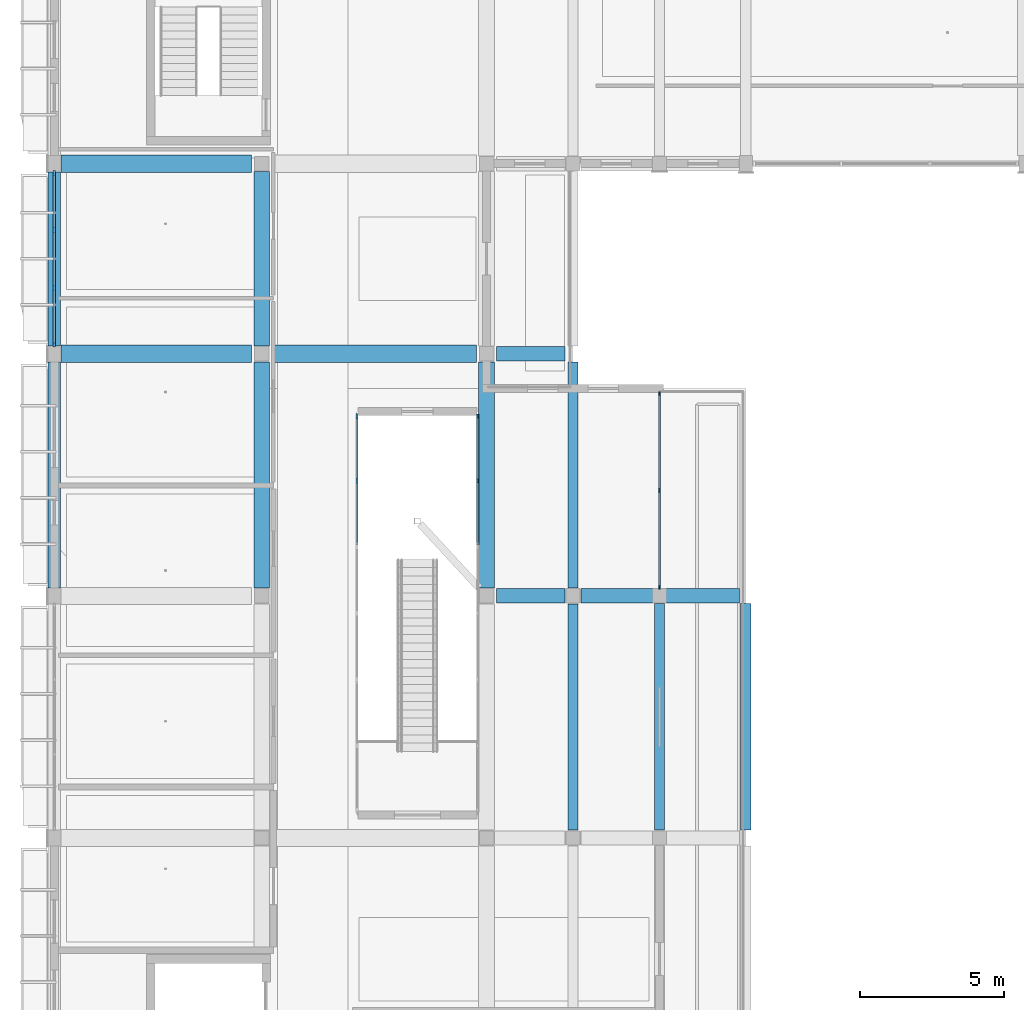
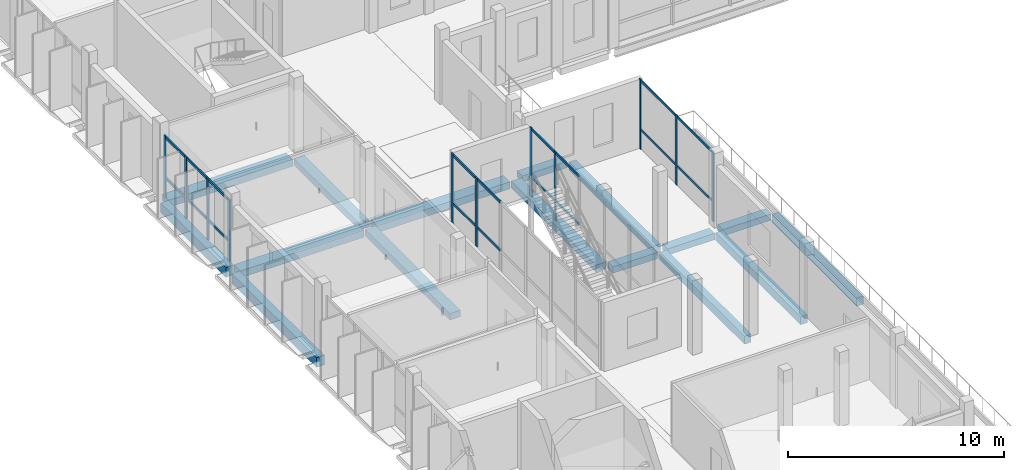
# One storey, part 11 of 85: 19 members, 16 beams, 4 elements without a shape of their own.
"""IFC4 building model written with IfcOpenShell, lengths in metres."""

from ifc_helpers import new_model, si_unit, derived_unit, direction, frame, origin, origin_2d, place, context, subcontext, project, spatial, rectangle, extrude, material, material_profile, profile_set, type_object, element, aggregate, save


model = new_model("IFC4")

# Units and contexts
model_context = context("Model", 3, precision=1e-05, world=origin(), true_north=direction((0.0, 1.0)))
body_context = subcontext(model_context, "Body", "Model", "MODEL_VIEW")
ifc_project = project(units=[si_unit("LENGTHUNIT", "METRE"), si_unit("AREAUNIT", "SQUARE_METRE"), si_unit("VOLUMEUNIT", "CUBIC_METRE"), si_unit("PLANEANGLEUNIT", "RADIAN"), si_unit("MASSUNIT", "GRAM", prefix="KILO"), derived_unit("THERMALTRANSMITTANCEUNIT", [(si_unit("POWERUNIT", "WATT"), 1), (si_unit("LENGTHUNIT", "METRE"), -2), (si_unit("THERMODYNAMICTEMPERATUREUNIT", "KELVIN"), -1)])], contexts=[model_context])

# Site, building, storey
site_placement = place(None, origin())
site = spatial("IfcSite", under=ifc_project, at=site_placement, CompositionType="ELEMENT")
building_placement = place(site_placement, origin())
building = spatial("IfcBuilding", under=site, at=building_placement, Name="Braskholm Square Health Centre", CompositionType="ELEMENT")
storey_placement = place(building_placement, frame((0.0, 0.0, 9.300048828125)))
storey = spatial("IfcBuildingStorey", under=building, at=storey_placement, Name="L03", CompositionType="ELEMENT", Elevation=9.300048828125)

# Curtain wall, members
ifc_material_1 = material(Name="Low-E triple insulating glass (VLT 0.64)", Category="glass")
curtain_wall_type_1 = type_object("IfcCurtainWallType", Name="UnitisedCurtainWall6200x4100", PredefinedType="NOTDEFINED", material=ifc_material_1)
curtain_wall_1_placement = place(storey_placement, origin())
curtain_wall_1 = element("IfcCurtainWall", 1, at=curtain_wall_1_placement, inside=storey, type_object=curtain_wall_type_1, Name="West Valley unitised curtain wall CW-L03-0094", PredefinedType="NOTDEFINED")
ifc_material_2 = material(Name="Architectural bronze anodised aluminium", Category="aluminium")
ifc_material_profile_1 = material_profile(ifc_material_2, rectangle(XDim=0.06494140625, YDim=0.14990234375, at=origin_2d()), Name="ALU-65X150")
ifc_profile_set_1 = profile_set([ifc_material_profile_1], Name="Architectural bronze anodised aluminium")
member_type_1 = type_object("IfcMemberType", Name="CurtainWallMullion65x150", PredefinedType="MULLION", material=ifc_profile_set_1)
member_1_placement = place(storey_placement, frame((25.199951171875, 72.500732421875, 0.0), z_axis=(0.0, 0.0, 1.0), x_axis=(1.0, 0.0, 0.0)))
member_1 = element("IfcMember", 2, at=member_1_placement, type_object=member_type_1, Name="CW-L03-0094 vertical mullion 1", PredefinedType="MULLION", context=body_context, shape_type="SweptSolid", body=[
    extrude(rectangle(XDim=0.06494140625, YDim=0.14990234375, at=origin_2d()), origin(), (0.0, 0.0, 1.0), 3.949951171875),
])
member_2_placement = place(storey_placement, frame((25.199951171875, 75.85888671875, 0.0), z_axis=(0.0, 0.0, 1.0), x_axis=(1.0, 0.0, 0.0)))
member_2 = element("IfcMember", 3, at=member_2_placement, type_object=member_type_1, Name="CW-L03-0094 vertical mullion 2", PredefinedType="MULLION", context=body_context, shape_type="SweptSolid", body=[
    extrude(rectangle(XDim=0.06494140625, YDim=0.14990234375, at=origin_2d()), origin(), (0.0, 0.0, 1.0), 3.949951171875),
])
member_3_placement = place(storey_placement, frame((25.199951171875, 79.21728515625, 0.0), z_axis=(0.0, 0.0, 1.0), x_axis=(1.0, 0.0, 0.0)))
member_3 = element("IfcMember", 4, at=member_3_placement, type_object=member_type_1, Name="CW-L03-0094 vertical mullion 3", PredefinedType="MULLION", context=body_context, shape_type="SweptSolid", body=[
    extrude(rectangle(XDim=0.06494140625, YDim=0.14990234375, at=origin_2d()), origin(), (0.0, 0.0, 1.0), 3.949951171875),
])

curtain_wall_type_2 = type_object("IfcCurtainWallType", Name="UnitisedCurtainWall4800x3800", PredefinedType="NOTDEFINED", material=ifc_material_1)
curtain_wall_2_placement = place(storey_placement, origin())
curtain_wall_2 = element("IfcCurtainWall", 5, at=curtain_wall_2_placement, inside=storey, type_object=curtain_wall_type_2, Name="WC2 Court E unitised curtain wall CW-L03-0302", PredefinedType="NOTDEFINED")
member_4_placement = place(storey_placement, frame((18.89990234375, 78.432861328125, 0.0), z_axis=(0.0, 0.0, 1.0), x_axis=(1.0, 0.0, 0.0)))
member_4 = element("IfcMember", 6, at=member_4_placement, type_object=member_type_1, Name="CW-L03-0302 vertical mullion 1", PredefinedType="MULLION", context=body_context, shape_type="SweptSolid", body=[
    extrude(rectangle(XDim=0.06494140625, YDim=0.14990234375, at=origin_2d()), origin(), (0.0, 0.0, 1.0), 3.89990234375),
])
member_5_placement = place(storey_placement, frame((18.89990234375, 76.198974609375, 0.0), z_axis=(0.0, 0.0, 1.0), x_axis=(1.0, 0.0, 0.0)))
member_5 = element("IfcMember", 7, at=member_5_placement, type_object=member_type_1, Name="CW-L03-0302 vertical mullion 2", PredefinedType="MULLION", context=body_context, shape_type="SweptSolid", body=[
    extrude(rectangle(XDim=0.06494140625, YDim=0.14990234375, at=origin_2d()), origin(), (0.0, 0.0, 1.0), 3.89990234375),
])

curtain_wall_type_3 = type_object("IfcCurtainWallType", Name="UnitisedCurtainWall6200x3650", PredefinedType="NOTDEFINED", material=ifc_material_1)
curtain_wall_3_placement = place(storey_placement, origin())
curtain_wall_3 = element("IfcCurtainWall", 8, at=curtain_wall_3_placement, inside=storey, type_object=curtain_wall_type_3, Name="West Outer unitised curtain wall CW-L03-0019", PredefinedType="NOTDEFINED")
ifc_material_profile_2 = material_profile(ifc_material_2, rectangle(XDim=0.074951171875, YDim=0.179931640625, at=origin_2d()), Name="ALU-75X180")
ifc_profile_set_2 = profile_set([ifc_material_profile_2], Name="Architectural bronze anodised aluminium")
member_type_2 = type_object("IfcMemberType", Name="CurtainWallMullion75x180", PredefinedType="MULLION", material=ifc_profile_set_2)
member_6_placement = place(storey_placement, frame((4.199951171875, 86.873779296875, 0.0), z_axis=(0.0, 0.0, 1.0), x_axis=(1.0, 0.0, 0.0)))
member_6 = element("IfcMember", 9, at=member_6_placement, type_object=member_type_2, Name="CW-L03-0019 vertical mullion 1", PredefinedType="MULLION", context=body_context, shape_type="SweptSolid", body=[
    extrude(rectangle(XDim=0.074951171875, YDim=0.179931640625, at=origin_2d()), origin(), (0.0, 0.0, 1.0), 3.47998046875),
])
member_7_placement = place(storey_placement, frame((4.199951171875, 84.9033203125, 0.0), z_axis=(0.0, 0.0, 1.0), x_axis=(1.0, 0.0, 0.0)))
member_7 = element("IfcMember", 10, at=member_7_placement, type_object=member_type_2, Name="CW-L03-0019 vertical mullion 2", PredefinedType="MULLION", context=body_context, shape_type="SweptSolid", body=[
    extrude(rectangle(XDim=0.074951171875, YDim=0.179931640625, at=origin_2d()), origin(), (0.0, 0.0, 1.0), 3.47998046875),
])
member_8_placement = place(storey_placement, frame((4.199951171875, 82.896728515625, 0.0), z_axis=(0.0, 0.0, 1.0), x_axis=(1.0, 0.0, 0.0)))
member_8 = element("IfcMember", 11, at=member_8_placement, type_object=member_type_2, Name="CW-L03-0019 vertical mullion 3", PredefinedType="MULLION", context=body_context, shape_type="SweptSolid", body=[
    extrude(rectangle(XDim=0.074951171875, YDim=0.179931640625, at=origin_2d()), origin(), (0.0, 0.0, 1.0), 3.47998046875),
])
member_9_placement = place(storey_placement, frame((4.199951171875, 80.926025390625, 0.0), z_axis=(0.0, 0.0, 1.0), x_axis=(1.0, 0.0, 0.0)))
member_9 = element("IfcMember", 12, at=member_9_placement, type_object=member_type_2, Name="CW-L03-0019 vertical mullion 4", PredefinedType="MULLION", context=body_context, shape_type="SweptSolid", body=[
    extrude(rectangle(XDim=0.074951171875, YDim=0.179931640625, at=origin_2d()), origin(), (0.0, 0.0, 1.0), 3.47998046875),
])

curtain_wall_4_placement = place(storey_placement, origin())
curtain_wall_4 = element("IfcCurtainWall", 13, at=curtain_wall_4_placement, inside=storey, type_object=curtain_wall_type_2, Name="WC2 Court W unitised curtain wall CW-L03-0301", PredefinedType="NOTDEFINED")
member_10_placement = place(storey_placement, frame((14.699951171875, 76.198974609375, 0.0), z_axis=(0.0, 0.0, 1.0), x_axis=(1.0, 0.0, 0.0)))
member_10 = element("IfcMember", 14, at=member_10_placement, type_object=member_type_2, Name="CW-L03-0301 vertical mullion 2", PredefinedType="MULLION", context=body_context, shape_type="SweptSolid", body=[
    extrude(rectangle(XDim=0.074951171875, YDim=0.179931640625, at=origin_2d()), origin(), (0.0, 0.0, 1.0), 3.89990234375),
])
member_11_placement = place(storey_placement, frame((14.699951171875, 78.432861328125, 0.0), z_axis=(0.0, 0.0, 1.0), x_axis=(1.0, 0.0, 0.0)))
member_11 = element("IfcMember", 15, at=member_11_placement, type_object=member_type_2, Name="CW-L03-0301 vertical mullion 3", PredefinedType="MULLION", context=body_context, shape_type="SweptSolid", body=[
    extrude(rectangle(XDim=0.074951171875, YDim=0.179931640625, at=origin_2d()), origin(), (0.0, 0.0, 1.0), 3.89990234375),
])

# Member
ifc_material_profile_3 = material_profile(ifc_material_2, rectangle(XDim=0.06494140625, YDim=0.1201171875, at=origin_2d()), Name="ALU-65X120")
ifc_profile_set_3 = profile_set([ifc_material_profile_3], Name="Architectural bronze anodised aluminium")
member_type_3 = type_object("IfcMemberType", Name="CurtainWallTransom65x120", PredefinedType="USERDEFINED", material=ifc_profile_set_3)
member_12_placement = place(storey_placement, frame((25.199951171875, 72.5048828125, 1.119873046875), z_axis=(0.0, 1.0, 0.0), x_axis=(-1.0, 0.0, 0.0)))
member_12 = element("IfcMember", 16, at=member_12_placement, type_object=member_type_3, Name="CW-L03-0094 horizontal transom 1", ObjectType="TRANSOM", PredefinedType="USERDEFINED", context=body_context, shape_type="SweptSolid", body=[
    extrude(rectangle(XDim=0.06494140625, YDim=0.1201171875, at=origin_2d()), origin(), (0.0, 0.0, 1.0), 6.7080078125),
])

member_13_placement = place(storey_placement, frame((25.199951171875, 72.5048828125, 3.8798828125), z_axis=(0.0, 1.0, 0.0), x_axis=(-1.0, 0.0, 0.0)))
member_13 = element("IfcMember", 17, at=member_13_placement, type_object=member_type_3, Name="CW-L03-0094 horizontal transom 2", ObjectType="TRANSOM", PredefinedType="USERDEFINED", context=body_context, shape_type="SweptSolid", body=[
    extrude(rectangle(XDim=0.06494140625, YDim=0.1201171875, at=origin_2d()), origin(), (0.0, 0.0, 1.0), 6.7080078125),
])

aggregate(curtain_wall_1, [member_1, member_2, member_3, member_12, member_13])

member_14_placement = place(storey_placement, frame((18.89990234375, 78.4150390625, 1.119873046875), z_axis=(0.0, -1.0, 0.0), x_axis=(1.0, 0.0, 0.0)))
member_14 = element("IfcMember", 18, at=member_14_placement, type_object=member_type_3, Name="CW-L03-0302 horizontal transom 1", ObjectType="TRANSOM", PredefinedType="USERDEFINED", context=body_context, shape_type="SweptSolid", body=[
    extrude(rectangle(XDim=0.06494140625, YDim=0.1201171875, at=origin_2d()), origin(), (0.0, 0.0, 1.0), 4.43212890625),
])

member_15_placement = place(storey_placement, frame((18.89990234375, 78.4150390625, 3.829833984375), z_axis=(0.0, -1.0, 0.0), x_axis=(1.0, 0.0, 0.0)))
member_15 = element("IfcMember", 19, at=member_15_placement, type_object=member_type_3, Name="CW-L03-0302 horizontal transom 2", ObjectType="TRANSOM", PredefinedType="USERDEFINED", context=body_context, shape_type="SweptSolid", body=[
    extrude(rectangle(XDim=0.06494140625, YDim=0.1201171875, at=origin_2d()), origin(), (0.0, 0.0, 1.0), 4.43212890625),
])

aggregate(curtain_wall_2, [member_4, member_5, member_14, member_15])

ifc_material_profile_4 = material_profile(ifc_material_2, rectangle(XDim=0.074951171875, YDim=0.139892578125, at=origin_2d()), Name="ALU-75X140")
ifc_profile_set_4 = profile_set([ifc_material_profile_4], Name="Architectural bronze anodised aluminium")
member_type_4 = type_object("IfcMemberType", Name="CurtainWallTransom75x140", PredefinedType="USERDEFINED", material=ifc_profile_set_4)
member_16_placement = place(storey_placement, frame((4.199951171875, 86.864990234375, 1.119873046875), z_axis=(0.0, -1.0, 0.0), x_axis=(1.0, 0.0, 0.0)))
member_16 = element("IfcMember", 20, at=member_16_placement, type_object=member_type_4, Name="CW-L03-0019 horizontal transom 1", ObjectType="TRANSOM", PredefinedType="USERDEFINED", context=body_context, shape_type="SweptSolid", body=[
    extrude(rectangle(XDim=0.074951171875, YDim=0.139892578125, at=origin_2d()), origin(), (0.0, 0.0, 1.0), 5.929931640625),
])

member_17_placement = place(storey_placement, frame((4.199951171875, 86.864990234375, 3.409912109375), z_axis=(0.0, -1.0, 0.0), x_axis=(1.0, 0.0, 0.0)))
member_17 = element("IfcMember", 21, at=member_17_placement, type_object=member_type_4, Name="CW-L03-0019 horizontal transom 2", ObjectType="TRANSOM", PredefinedType="USERDEFINED", context=body_context, shape_type="SweptSolid", body=[
    extrude(rectangle(XDim=0.074951171875, YDim=0.139892578125, at=origin_2d()), origin(), (0.0, 0.0, 1.0), 5.929931640625),
])

aggregate(curtain_wall_3, [member_6, member_7, member_8, member_9, member_16, member_17])

member_18_placement = place(storey_placement, frame((14.699951171875, 73.98291015625, 1.119873046875), z_axis=(0.0, 1.0, 0.0), x_axis=(-1.0, 0.0, 0.0)))
member_18 = element("IfcMember", 22, at=member_18_placement, type_object=member_type_4, Name="CW-L03-0301 horizontal transom 1", ObjectType="TRANSOM", PredefinedType="USERDEFINED", context=body_context, shape_type="SweptSolid", body=[
    extrude(rectangle(XDim=0.074951171875, YDim=0.139892578125, at=origin_2d()), origin(), (0.0, 0.0, 1.0), 4.43212890625),
])

member_19_placement = place(storey_placement, frame((14.699951171875, 73.98291015625, 3.829833984375), z_axis=(0.0, 1.0, 0.0), x_axis=(-1.0, 0.0, 0.0)))
member_19 = element("IfcMember", 23, at=member_19_placement, type_object=member_type_4, Name="CW-L03-0301 horizontal transom 2", ObjectType="TRANSOM", PredefinedType="USERDEFINED", context=body_context, shape_type="SweptSolid", body=[
    extrude(rectangle(XDim=0.074951171875, YDim=0.139892578125, at=origin_2d()), origin(), (0.0, 0.0, 1.0), 4.43212890625),
])

aggregate(curtain_wall_4, [member_10, member_11, member_18, member_19])

# Beams
ifc_material_3 = material(Name="Concrete C35/45 (f'c = 35 MPa)", Category="concrete")
ifc_material_profile_5 = material_profile(ifc_material_3, rectangle(XDim=0.5, YDim=0.360107421875, at=origin_2d()), Name="RCB-500X360")
ifc_profile_set_5 = profile_set([ifc_material_profile_5], Name="Concrete C35/45 (f'c = 35 MPa)")
beam_type_1 = type_object("IfcBeamType", Name="PrimaryBandBeam500x360", PredefinedType="BEAM", material=ifc_profile_set_5)
beam_1_placement = place(storey_placement, frame((19.550048828125, 72.199951171875, -0.47998046875), z_axis=(1.0, 0.0, 0.0), x_axis=(0.0, 1.0, 0.0)))
element("IfcBeam", 24, at=beam_1_placement, inside=storey, type_object=beam_type_1, Name="Beam 3-4/L L03", PredefinedType="BEAM", context=body_context, shape_type="SweptSolid", body=[
    extrude(rectangle(XDim=0.5, YDim=0.360107421875, at=origin_2d()), origin(), (0.0, 0.0, 1.0), 2.375),
])
beam_2_placement = place(storey_placement, frame((22.47509765625, 72.199951171875, -0.47998046875), z_axis=(1.0, 0.0, 0.0), x_axis=(0.0, 1.0, 0.0)))
element("IfcBeam", 25, at=beam_2_placement, inside=storey, type_object=beam_type_1, Name="Beam 4-5/L L03", PredefinedType="BEAM", context=body_context, shape_type="SweptSolid", body=[
    extrude(rectangle(XDim=0.5, YDim=0.360107421875, at=origin_2d()), origin(), (0.0, 0.0, 1.0), 2.5048828125),
])
beam_3_placement = place(storey_placement, frame((25.419921875, 72.199951171875, -0.429931640625), z_axis=(1.0, 0.0, 0.0), x_axis=(0.0, 1.0, 0.0)))
element("IfcBeam", 26, at=beam_3_placement, inside=storey, type_object=beam_type_1, Name="Beam 5-6/L L03", PredefinedType="BEAM", context=body_context, shape_type="SweptSolid", body=[
    extrude(rectangle(XDim=0.5, YDim=0.360107421875, at=origin_2d()), origin(), (0.0, 0.0, 1.0), 2.56005859375),
])
beam_4_placement = place(storey_placement, frame((19.550048828125, 80.60009765625, -0.429931640625), z_axis=(1.0, 0.0, 0.0), x_axis=(0.0, 1.0, 0.0)))
element("IfcBeam", 27, at=beam_4_placement, inside=storey, type_object=beam_type_1, Name="Beam 3-4/M L03", PredefinedType="BEAM", context=body_context, shape_type="SweptSolid", body=[
    extrude(rectangle(XDim=0.5, YDim=0.360107421875, at=origin_2d()), origin(), (0.0, 0.0, 1.0), 2.375),
])
ifc_material_profile_6 = material_profile(ifc_material_3, rectangle(XDim=0.550048828125, YDim=0.3798828125, at=origin_2d()), Name="RCB-550X380")
ifc_profile_set_6 = profile_set([ifc_material_profile_6], Name="Concrete C35/45 (f'c = 35 MPa)")
beam_type_2 = type_object("IfcBeamType", Name="PrimaryBandBeam550x380", PredefinedType="BEAM", material=ifc_profile_set_6)
beam_5_placement = place(storey_placement, frame((11.39990234375, 72.47509765625, -0.489990234375), z_axis=(0.0, 1.0, 0.0), x_axis=(-1.0, 0.0, 0.0)))
element("IfcBeam", 28, at=beam_5_placement, inside=storey, type_object=beam_type_2, Name="Beam 2/L-M L03", PredefinedType="BEAM", context=body_context, shape_type="SweptSolid", body=[
    extrude(rectangle(XDim=0.550048828125, YDim=0.3798828125, at=origin_2d()), origin(), (0.0, 0.0, 1.0), 7.849853515625),
])
beam_6_placement = place(storey_placement, frame((11.39990234375, 80.875, -0.489990234375), z_axis=(0.0, 1.0, 0.0), x_axis=(-1.0, 0.0, 0.0)))
element("IfcBeam", 29, at=beam_6_placement, inside=storey, type_object=beam_type_2, Name="Beam 2/M-N L03", PredefinedType="BEAM", context=body_context, shape_type="SweptSolid", body=[
    extrude(rectangle(XDim=0.550048828125, YDim=0.3798828125, at=origin_2d()), origin(), (0.0, 0.0, 1.0), 6.050048828125),
])
beam_7_placement = place(storey_placement, frame((19.199951171875, 72.47509765625, -0.489990234375), z_axis=(0.0, 1.0, 0.0), x_axis=(-1.0, 0.0, 0.0)))
element("IfcBeam", 30, at=beam_7_placement, inside=storey, type_object=beam_type_2, Name="Beam 3/L-M L03", PredefinedType="BEAM", context=body_context, shape_type="SweptSolid", body=[
    extrude(rectangle(XDim=0.550048828125, YDim=0.3798828125, at=origin_2d()), origin(), (0.0, 0.0, 1.0), 7.849853515625),
])
ifc_material_profile_7 = material_profile(ifc_material_3, rectangle(XDim=0.60009765625, YDim=0.39990234375, at=origin_2d()), Name="RCB-600X400")
ifc_profile_set_7 = profile_set([ifc_material_profile_7], Name="Concrete C35/45 (f'c = 35 MPa)")
beam_type_3 = type_object("IfcBeamType", Name="PrimaryBandBeam600x400", PredefinedType="BEAM", material=ifc_profile_set_7)
beam_8_placement = place(storey_placement, frame((4.429931640625, 80.60009765625, -0.5), z_axis=(1.0, 0.0, 0.0), x_axis=(0.0, 1.0, 0.0)))
element("IfcBeam", 31, at=beam_8_placement, inside=storey, type_object=beam_type_3, Name="Beam 1-2/M L03", PredefinedType="BEAM", context=body_context, shape_type="SweptSolid", body=[
    extrude(rectangle(XDim=0.60009765625, YDim=0.39990234375, at=origin_2d()), origin(), (0.0, 0.0, 1.0), 6.6201171875),
])
beam_9_placement = place(storey_placement, frame((11.75, 80.60009765625, -0.5), z_axis=(1.0, 0.0, 0.0), x_axis=(0.0, 1.0, 0.0)))
element("IfcBeam", 32, at=beam_9_placement, inside=storey, type_object=beam_type_3, Name="Beam 2-3/M L03", PredefinedType="BEAM", context=body_context, shape_type="SweptSolid", body=[
    extrude(rectangle(XDim=0.60009765625, YDim=0.39990234375, at=origin_2d()), origin(), (0.0, 0.0, 1.0), 7.10009765625),
])
beam_10_placement = place(storey_placement, frame((4.429931640625, 87.199951171875, -0.5), z_axis=(1.0, 0.0, 0.0), x_axis=(0.0, 1.0, 0.0)))
element("IfcBeam", 33, at=beam_10_placement, inside=storey, type_object=beam_type_3, Name="Beam 1-2/N L03", PredefinedType="BEAM", context=body_context, shape_type="SweptSolid", body=[
    extrude(rectangle(XDim=0.60009765625, YDim=0.39990234375, at=origin_2d()), origin(), (0.0, 0.0, 1.0), 6.6201171875),
])
ifc_material_4 = material(Name="Precast concrete C40/50 architectural white", Category="concrete")
ifc_material_profile_8 = material_profile(ifc_material_4, rectangle(XDim=0.419921875, YDim=0.550048828125, at=origin_2d()), Name="RCB-420X550")
ifc_profile_set_8 = profile_set([ifc_material_profile_8], Name="Precast concrete C40/50 architectural white")
beam_type_4 = type_object("IfcBeamType", Name="SpandrelPrecastLedge420x550", PredefinedType="SPANDREL", material=ifc_profile_set_8)
beam_11_placement = place(storey_placement, frame((4.199951171875, 72.47998046875, -0.574951171875), z_axis=(0.0, 1.0, 0.0), x_axis=(-1.0, 0.0, 0.0)))
element("IfcBeam", 34, at=beam_11_placement, inside=storey, type_object=beam_type_4, Name="Beam 1/L-M L03", PredefinedType="SPANDREL", context=body_context, shape_type="SweptSolid", body=[
    extrude(rectangle(XDim=0.419921875, YDim=0.550048828125, at=origin_2d()), origin(), (0.0, 0.0, 1.0), 7.840087890625),
])
beam_12_placement = place(storey_placement, frame((4.199951171875, 80.8798828125, -0.574951171875), z_axis=(0.0, 1.0, 0.0), x_axis=(-1.0, 0.0, 0.0)))
element("IfcBeam", 35, at=beam_12_placement, inside=storey, type_object=beam_type_4, Name="Beam 1/M-N L03", PredefinedType="SPANDREL", context=body_context, shape_type="SweptSolid", body=[
    extrude(rectangle(XDim=0.419921875, YDim=0.550048828125, at=origin_2d()), origin(), (0.0, 0.0, 1.0), 6.0400390625),
])
ifc_material_profile_9 = material_profile(ifc_material_4, rectangle(XDim=0.360107421875, YDim=0.4599609375, at=origin_2d()), Name="RCB-360X460")
ifc_profile_set_9 = profile_set([ifc_material_profile_9], Name="Precast concrete C40/50 architectural white")
beam_type_5 = type_object("IfcBeamType", Name="SpandrelTerraceEdge360x460", PredefinedType="SPANDREL", material=ifc_profile_set_9)
beam_13_placement = place(storey_placement, frame((22.199951171875, 64.074951171875, -0.530029296875), z_axis=(0.0, 1.0, 0.0), x_axis=(-1.0, 0.0, 0.0)))
element("IfcBeam", 36, at=beam_13_placement, inside=storey, type_object=beam_type_5, Name="Beam 4/K-L L03", PredefinedType="SPANDREL", context=body_context, shape_type="SweptSolid", body=[
    extrude(rectangle(XDim=0.360107421875, YDim=0.4599609375, at=origin_2d()), origin(), (0.0, 0.0, 1.0), 7.85009765625),
])
beam_14_placement = place(storey_placement, frame((22.199951171875, 72.47509765625, -0.530029296875), z_axis=(0.0, 1.0, 0.0), x_axis=(-1.0, 0.0, 0.0)))
element("IfcBeam", 37, at=beam_14_placement, inside=storey, type_object=beam_type_5, Name="Beam 4/L-M L03", PredefinedType="SPANDREL", context=body_context, shape_type="SweptSolid", body=[
    extrude(rectangle(XDim=0.360107421875, YDim=0.4599609375, at=origin_2d()), origin(), (0.0, 0.0, 1.0), 7.849853515625),
])
for number, where, z_axis, x_axis, name in (
    (38, (25.199951171875, 64.070068359375, -0.47998046875), (0.0, 1.0, 0.0), (-1.0, 0.0, 0.0), "Beam 5/K-L L03"),
    (39, (28.199951171875, 64.070068359375, -0.47998046875), (0.0, 1.0, 0.0), (-1.0, 0.0, 0.0), "Beam 6/K-L L03"),
):
    element("IfcBeam", number, at=place(storey_placement, frame(where, z_axis=z_axis, x_axis=x_axis)), inside=storey, type_object=beam_type_5, Name=name, PredefinedType="SPANDREL", context=body_context, shape_type="SweptSolid", body=[
        extrude(rectangle(XDim=0.360107421875, YDim=0.4599609375, at=origin_2d()), origin(), (0.0, 0.0, 1.0), 7.85986328125),
    ])

save(model, "model.ifc")
